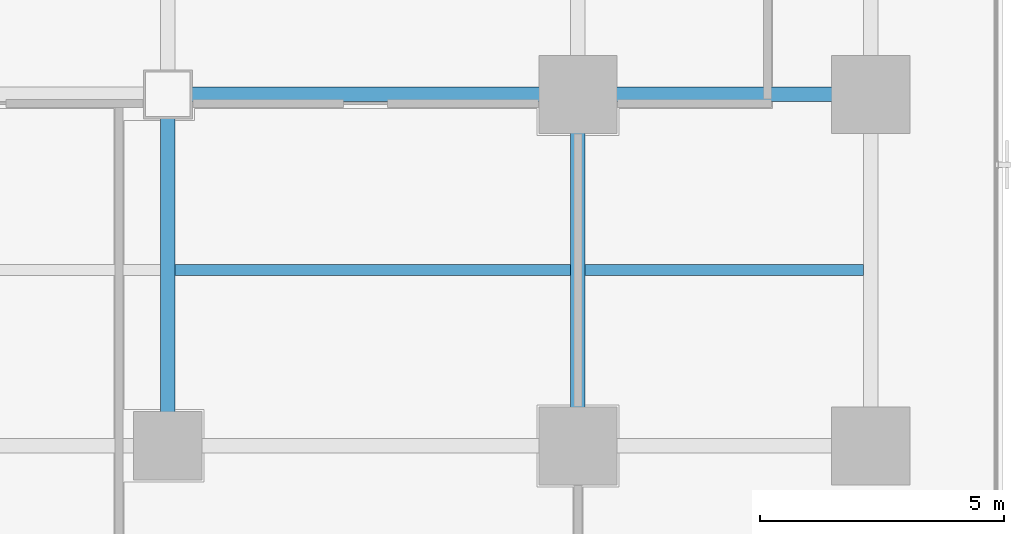
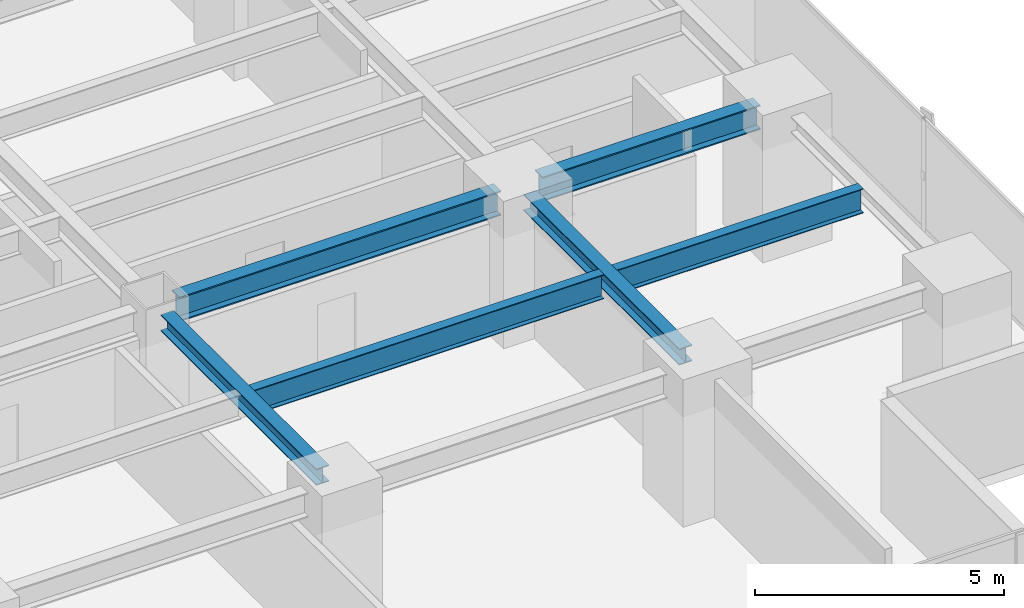
# One storey, part 13 of 34: 6 beams.
"""IFC4 building model written with IfcOpenShell, lengths in metres."""

from ifc_helpers import new_model, si_unit, direction, frame, origin, origin_2d, place, context, subcontext, project, spatial, i_section, extrude, source, transform, mapped, material, material_profile, profile_set, type_object, element, save


model = new_model("IFC4")

# Units and contexts
model_context = context("Model", 3, precision=1e-05, world=origin(), true_north=direction((0.0, 1.0)))
body_context = subcontext(model_context, "Body", "Model", "MODEL_VIEW")
ifc_project = project(units=[si_unit("LENGTHUNIT", "METRE"), si_unit("AREAUNIT", "SQUARE_METRE"), si_unit("VOLUMEUNIT", "CUBIC_METRE"), si_unit("PLANEANGLEUNIT", "RADIAN"), si_unit("MASSUNIT", "GRAM", prefix="KILO")], contexts=[model_context])

# Site, building, storey
site_placement = place(None, origin())
site = spatial("IfcSite", under=ifc_project, at=site_placement, CompositionType="ELEMENT")
building_placement = place(site_placement, origin())
building = spatial("IfcBuilding", under=site, at=building_placement, Name="Sumidabori Civic Tower", CompositionType="ELEMENT")
storey_placement = place(building_placement, frame((0.0, 0.0, 106.39990234375)))
storey = spatial("IfcBuildingStorey", under=building, at=storey_placement, Name="L27", CompositionType="ELEMENT", Elevation=106.39990234375)

# Beams
ifc_material = material(Name="Steel SN490", Category="steel")
ifc_material_profile_1 = material_profile(ifc_material, i_section(OverallWidth=0.300048828125, OverallDepth=0.60009765625, WebThickness=0.015380859375, FlangeThickness=0.030029296875, at=origin_2d()), Name="HE 600 B")
ifc_profile_set_1 = profile_set([ifc_material_profile_1], Name="Steel SN490")
beam_type_1 = type_object("IfcBeamType", Name="BM-GIRD-600", PredefinedType="BEAM", material=ifc_profile_set_1)
shared_shape_1 = source(origin(), body_context, "Body", "SweptSolid", [
    extrude(i_section(OverallWidth=0.300048828125, OverallDepth=0.60009765625, WebThickness=0.015380859375, FlangeThickness=0.030029296875, at=origin_2d()), origin(), (0.0, 0.0, 1.0), 5.0400390625),
])
beam_1_placement = place(storey_placement, frame((17.280029296875, -10.800048828125, 3.06005859375), z_axis=(1.0, 0.0, 0.0), x_axis=(0.0, 1.0, 0.0)))
element("IfcBeam", 1, at=beam_1_placement, inside=storey, type_object=beam_type_1, Name="Primary Girder L27 GX-12", PredefinedType="BEAM", context=body_context, shape_type="MappedRepresentation", body=[
    mapped(shared_shape_1, transform((0.0, 0.0, 0.0), x_axis=(1.0, 0.0, 0.0), y_axis=(0.0, 1.0, 0.0), z_axis=(0.0, 0.0, 1.0), scale=1.0)),
])
shared_shape_2 = source(origin(), body_context, "Body", "SweptSolid", [
    extrude(i_section(OverallWidth=0.300048828125, OverallDepth=0.60009765625, WebThickness=0.015380859375, FlangeThickness=0.030029296875, at=origin_2d()), origin(), (0.0, 0.0, 1.0), 7.440185546875),
])
beam_2_placement = place(storey_placement, frame((8.8798828125, -10.800048828125, 3.06005859375), z_axis=(1.0, 0.0, 0.0), x_axis=(0.0, 1.0, 0.0)))
element("IfcBeam", 2, at=beam_2_placement, inside=storey, type_object=beam_type_1, Name="Primary Girder L27 GX-11", PredefinedType="BEAM", context=body_context, shape_type="MappedRepresentation", body=[
    mapped(shared_shape_2, transform((0.0, 0.0, 0.0), x_axis=(1.0, 0.0, 0.0), y_axis=(0.0, 1.0, 0.0), z_axis=(0.0, 0.0, 1.0), scale=1.0)),
])
ifc_material_profile_2 = material_profile(ifc_material, i_section(OverallWidth=0.300048828125, OverallDepth=0.39990234375, WebThickness=0.013427734375, FlangeThickness=0.02392578125, at=origin_2d()), Name="HE 400 B")
ifc_profile_set_2 = profile_set([ifc_material_profile_2], Name="Steel SN490")
beam_type_2 = type_object("IfcBeamType", Name="BM-GIRD-400", PredefinedType="BEAM", material=ifc_profile_set_2)
shared_shape_3 = source(origin(), body_context, "Body", "SweptSolid", [
    extrude(i_section(OverallWidth=0.300048828125, OverallDepth=0.39990234375, WebThickness=0.013427734375, FlangeThickness=0.02392578125, at=origin_2d()), origin(), (0.0, 0.0, 1.0), 6.239990234375),
])
for number, where, z_axis, x_axis, name in (
    (3, (8.39990234375, -17.52001953125, 3.16015625), (0.0, 1.0, 0.0), (-1.0, 0.0, 0.0), "Primary Girder L27 GY-33"),
    (4, (16.800048828125, -17.52001953125, 3.16015625), (0.0, 1.0, 0.0), (-1.0, 0.0, 0.0), "Primary Girder L27 GY-35"),
):
    element("IfcBeam", number, at=place(storey_placement, frame(where, z_axis=z_axis, x_axis=x_axis)), inside=storey, type_object=beam_type_2, Name=name, PredefinedType="BEAM", context=body_context, shape_type="MappedRepresentation", body=[
        mapped(shared_shape_3, transform((0.0, 0.0, 0.0), x_axis=(1.0, 0.0, 0.0), y_axis=(0.0, 1.0, 0.0), z_axis=(0.0, 0.0, 1.0), scale=1.0)),
    ])
ifc_material_profile_3 = material_profile(ifc_material, i_section(OverallWidth=0.219970703125, OverallDepth=0.60009765625, WebThickness=0.011962890625, FlangeThickness=0.01904296875, at=origin_2d()), Name="IPE 600")
ifc_profile_set_3 = profile_set([ifc_material_profile_3], Name="Steel SN490")
beam_type_3 = type_object("IfcBeamType", Name="BM-JST-600", PredefinedType="JOIST", material=ifc_profile_set_3)
shared_shape_4 = source(origin(), body_context, "Body", "SweptSolid", [
    extrude(i_section(OverallWidth=0.219970703125, OverallDepth=0.60009765625, WebThickness=0.011962890625, FlangeThickness=0.01904296875, at=origin_2d()), origin(), (0.0, 0.0, 1.0), 5.699951171875),
])
beam_3_placement = place(storey_placement, frame((16.949951171875, -14.39990234375, 3.06005859375), z_axis=(1.0, 0.0, 0.0), x_axis=(0.0, 1.0, 0.0)))
element("IfcBeam", 5, at=beam_3_placement, inside=storey, type_object=beam_type_3, Name="Outer Bay Floor Joist L27 JSTO-52", PredefinedType="JOIST", context=body_context, shape_type="MappedRepresentation", body=[
    mapped(shared_shape_4, transform((0.0, 0.0, 0.0), x_axis=(1.0, 0.0, 0.0), y_axis=(0.0, 1.0, 0.0), z_axis=(0.0, 0.0, 1.0), scale=1.0)),
])
shared_shape_5 = source(origin(), body_context, "Body", "SweptSolid", [
    extrude(i_section(OverallWidth=0.219970703125, OverallDepth=0.60009765625, WebThickness=0.011962890625, FlangeThickness=0.01904296875, at=origin_2d()), origin(), (0.0, 0.0, 1.0), 8.099853515625),
])
beam_4_placement = place(storey_placement, frame((8.550048828125, -14.39990234375, 3.06005859375), z_axis=(1.0, 0.0, 0.0), x_axis=(0.0, 1.0, 0.0)))
element("IfcBeam", 6, at=beam_4_placement, inside=storey, type_object=beam_type_3, Name="South Bay Floor Joist L27 JSTS-58", PredefinedType="JOIST", context=body_context, shape_type="MappedRepresentation", body=[
    mapped(shared_shape_5, transform((0.0, 0.0, 0.0), x_axis=(1.0, 0.0, 0.0), y_axis=(0.0, 1.0, 0.0), z_axis=(0.0, 0.0, 1.0), scale=1.0)),
])

save(model, "model.ifc")
